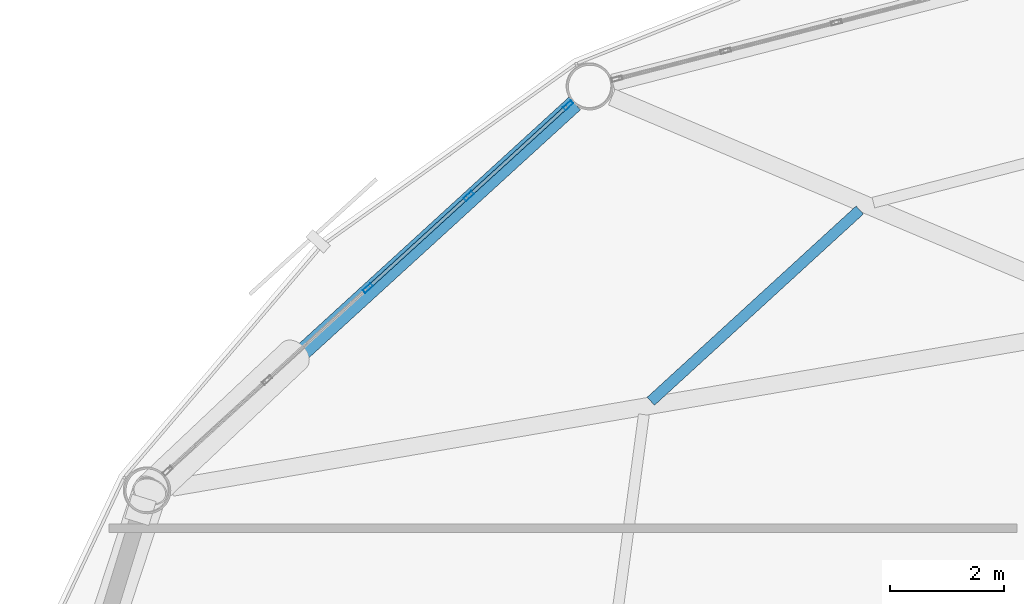
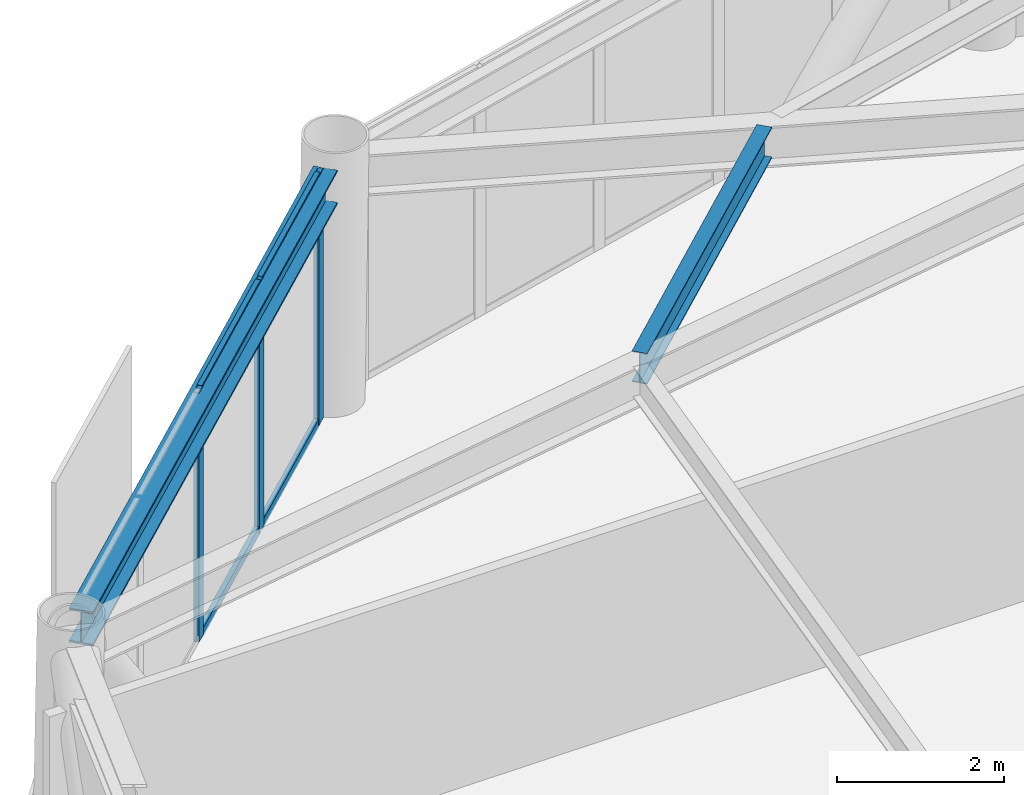
# One storey, part 15 of 24: 7 members, 2 beams, 1 element without a shape of its own.
"""IFC4 building model written with IfcOpenShell, lengths in metres."""

from ifc_helpers import new_model, si_unit, direction, frame, origin, origin_2d, place, context, subcontext, project, spatial, hollow_rectangle, i_section, extrude, material, layer, layer_set, material_profile, profile_set, type_object, element, aggregate, save


model = new_model("IFC4")

# Units and contexts
model_context = context("Model", 3, precision=1e-05, world=origin(), true_north=direction((0.0, 1.0)))
body_context = subcontext(model_context, "Body", "Model", "MODEL_VIEW")
ifc_project = project(units=[si_unit("LENGTHUNIT", "METRE"), si_unit("AREAUNIT", "SQUARE_METRE"), si_unit("VOLUMEUNIT", "CUBIC_METRE"), si_unit("PLANEANGLEUNIT", "RADIAN"), si_unit("MASSUNIT", "GRAM", prefix="KILO")], contexts=[model_context])

# Site, building, storey
site_placement = place(None, origin())
site = spatial("IfcSite", under=ifc_project, at=site_placement, CompositionType="ELEMENT")
building_placement = place(site_placement, origin())
building = spatial("IfcBuilding", under=site, at=building_placement, Name="Varnakorn Sky Granary", CompositionType="ELEMENT")
storey_placement = place(building_placement, frame((0.0, 0.0, 118.800048828125)))
storey = spatial("IfcBuildingStorey", under=building, at=storey_placement, Name="L29", CompositionType="ELEMENT", Elevation=118.800048828125)

# Beams
ifc_material_1 = material(Name="Steel S355JR", Category="steel")
ifc_material_profile_1 = material_profile(ifc_material_1, i_section(OverallWidth=0.18994140625, OverallDepth=0.449951171875, WebThickness=0.009521484375, FlangeThickness=0.0146484375, at=origin_2d()), Name="IPE 450")
ifc_profile_set_1 = profile_set([ifc_material_profile_1], Name="Steel S355JR")
beam_type_1 = type_object("IfcBeamType", Name="BM-SEC-Z2", PredefinedType="BEAM", material=ifc_profile_set_1)
beam_1_placement = place(storey_placement, frame((-7.35498046875, 14.572021484375, 3.4150390625), z_axis=(-0.737719864573, -0.675106955536, 0.0), x_axis=(0.675106955536, -0.737719864573, 0.0)))
element("IfcBeam", 1, at=beam_1_placement, inside=storey, type_object=beam_type_1, Name="Secondary Floor Chord Beam MSB05 L29", PredefinedType="BEAM", context=body_context, shape_type="SweptSolid", body=[
    extrude(i_section(OverallWidth=0.18994140625, OverallDepth=0.449951171875, WebThickness=0.009521484375, FlangeThickness=0.0146484375, at=origin_2d()), origin(), (0.0, 0.0, 1.0), 4.959716796875),
])
ifc_material_profile_2 = material_profile(ifc_material_1, i_section(OverallWidth=0.300048828125, OverallDepth=0.5, WebThickness=0.014404296875, FlangeThickness=0.028076171875, at=origin_2d()), Name="HE 500 B")
ifc_profile_set_2 = profile_set([ifc_material_profile_2], Name="Steel S355JR")
beam_type_2 = type_object("IfcBeamType", Name="BM-SPD-Z2", PredefinedType="SPANDREL", material=ifc_profile_set_2)
beam_2_placement = place(storey_placement, frame((-12.3466796875, 16.438232421875, 3.389892578125), z_axis=(-0.738350124804, -0.67441759556, 0.0), x_axis=(0.67441759556, -0.738350124804, 0.0)))
element("IfcBeam", 2, at=beam_2_placement, inside=storey, type_object=beam_type_2, Name="Perimeter Spandrel Ring Beam RB05 L29", PredefinedType="SPANDREL", context=body_context, shape_type="SweptSolid", body=[
    extrude(i_section(OverallWidth=0.300048828125, OverallDepth=0.5, WebThickness=0.014404296875, FlangeThickness=0.028076171875, at=origin_2d()), origin(), (0.0, 0.0, 1.0), 9.684326171875),
])

# Curtain wall, members
ifc_material_2 = material(Name="Anodised Bronze Aluminium Alloy 6063-T6", Category="aluminium")
ifc_layer = layer(ifc_material_2, 0.179931640625, Name="Anodised Bronze Aluminium Alloy 6063-T6")
ifc_layer_set = layer_set([ifc_layer], Name="Anodised Bronze Aluminium Alloy 6063-T6")
curtain_wall_type = type_object("IfcCurtainWallType", Name="CW-FRM-2", PredefinedType="USERDEFINED", material=ifc_layer_set)
curtain_wall_placement = place(storey_placement, origin())
curtain_wall = element("IfcCurtainWall", 3, at=curtain_wall_placement, inside=storey, type_object=curtain_wall_type, Name="Unitised Curtain Wall CW4 CW-L29-B05", ObjectType="CURTAIN WALL", PredefinedType="USERDEFINED")
ifc_material_profile_3 = material_profile(ifc_material_2, hollow_rectangle(XDim=0.070068359375, YDim=0.18505859375, WallThickness=0.00390625, at=origin_2d()), Name="ALU MULL 70x185")
ifc_profile_set_3 = profile_set([ifc_material_profile_3], Name="Anodised Bronze Aluminium Alloy 6063-T6")
member_type_1 = type_object("IfcMemberType", Name="CW-FRM-2-MULL", PredefinedType="MULLION", material=ifc_profile_set_3)
member_1_placement = place(storey_placement, frame((-15.967529296875, 13.205322265625, 0.0), z_axis=(0.0, 0.0, 1.0), x_axis=(-0.674153081651, 0.738591648003, 0.0)))
member_1 = element("IfcMember", 4, at=member_1_placement, type_object=member_type_1, Name="CW4 mullion 3", PredefinedType="MULLION", context=body_context, shape_type="SweptSolid", body=[
    extrude(hollow_rectangle(XDim=0.070068359375, YDim=0.18505859375, WallThickness=0.00390625, at=origin_2d()), origin(), (0.0, 0.0, 1.0), 3.639892578125),
])
member_2_placement = place(storey_placement, frame((-14.20166015625, 14.8173828125, 0.0), z_axis=(0.0, 0.0, 1.0), x_axis=(-0.674153081651, 0.738591648003, 0.0)))
member_2 = element("IfcMember", 5, at=member_2_placement, type_object=member_type_1, Name="CW4 mullion 4", PredefinedType="MULLION", context=body_context, shape_type="SweptSolid", body=[
    extrude(hollow_rectangle(XDim=0.070068359375, YDim=0.18505859375, WallThickness=0.00390625, at=origin_2d()), origin(), (0.0, 0.0, 1.0), 3.639892578125),
])
member_3_placement = place(storey_placement, frame((-12.46142578125, 16.405517578125, 0.0), z_axis=(0.0, 0.0, 1.0), x_axis=(-0.674153081651, 0.738591648003, 0.0)))
member_3 = element("IfcMember", 6, at=member_3_placement, type_object=member_type_1, Name="CW4 mullion 5", PredefinedType="MULLION", context=body_context, shape_type="SweptSolid", body=[
    extrude(hollow_rectangle(XDim=0.070068359375, YDim=0.18505859375, WallThickness=0.00390625, at=origin_2d()), origin(), (0.0, 0.0, 1.0), 3.639892578125),
])
ifc_material_profile_4 = material_profile(ifc_material_2, hollow_rectangle(XDim=0.06494140625, YDim=0.1201171875, WallThickness=0.00341796875, at=origin_2d()), Name="ALU TRAN 65x120")
ifc_profile_set_4 = profile_set([ifc_material_profile_4], Name="Anodised Bronze Aluminium Alloy 6063-T6")
member_type_2 = type_object("IfcMemberType", Name="CW-FRM-2-TRAN", PredefinedType="USERDEFINED", material=ifc_profile_set_4)
member_4_placement = place(storey_placement, frame((-15.941650390625, 13.22900390625, 0.032470703125), z_axis=(0.738562920083, 0.674184554168, 0.0), x_axis=(-0.674184554168, 0.738562920083, 0.0)))
member_4 = element("IfcMember", 7, at=member_4_placement, type_object=member_type_2, Name="CW4 transom 3.1", ObjectType="TRANSOM", PredefinedType="USERDEFINED", context=body_context, shape_type="SweptSolid", body=[
    extrude(hollow_rectangle(XDim=0.06494140625, YDim=0.1201171875, WallThickness=0.00341796875, at=origin_2d()), origin(), (0.0, 0.0, 1.0), 2.32080078125),
])
member_5_placement = place(storey_placement, frame((-15.941650390625, 13.22900390625, 3.607421875), z_axis=(0.738562920083, 0.674184554168, 0.0), x_axis=(-0.674184554168, 0.738562920083, 0.0)))
member_5 = element("IfcMember", 8, at=member_5_placement, type_object=member_type_2, Name="CW4 transom 3.2", ObjectType="TRANSOM", PredefinedType="USERDEFINED", context=body_context, shape_type="SweptSolid", body=[
    extrude(hollow_rectangle(XDim=0.06494140625, YDim=0.1201171875, WallThickness=0.00341796875, at=origin_2d()), origin(), (0.0, 0.0, 1.0), 2.32080078125),
])
member_6_placement = place(storey_placement, frame((-14.17578125, 14.8408203125, 0.032470703125), z_axis=(0.738571031397, 0.674175668191, 0.0), x_axis=(-0.674175668191, 0.738571031397, 0.0)))
member_6 = element("IfcMember", 9, at=member_6_placement, type_object=member_type_2, Name="CW4 transom 4.1", ObjectType="TRANSOM", PredefinedType="USERDEFINED", context=body_context, shape_type="SweptSolid", body=[
    extrude(hollow_rectangle(XDim=0.06494140625, YDim=0.1201171875, WallThickness=0.00341796875, at=origin_2d()), origin(), (0.0, 0.0, 1.0), 2.2861328125),
])
member_7_placement = place(storey_placement, frame((-14.17578125, 14.8408203125, 3.607421875), z_axis=(0.738571031397, 0.674175668191, 0.0), x_axis=(-0.674175668191, 0.738571031397, 0.0)))
member_7 = element("IfcMember", 10, at=member_7_placement, type_object=member_type_2, Name="CW4 transom 4.2", ObjectType="TRANSOM", PredefinedType="USERDEFINED", context=body_context, shape_type="SweptSolid", body=[
    extrude(hollow_rectangle(XDim=0.06494140625, YDim=0.1201171875, WallThickness=0.00341796875, at=origin_2d()), origin(), (0.0, 0.0, 1.0), 2.2861328125),
])
aggregate(curtain_wall, [member_1, member_2, member_3, member_4, member_5, member_6, member_7])

save(model, "model.ifc")
